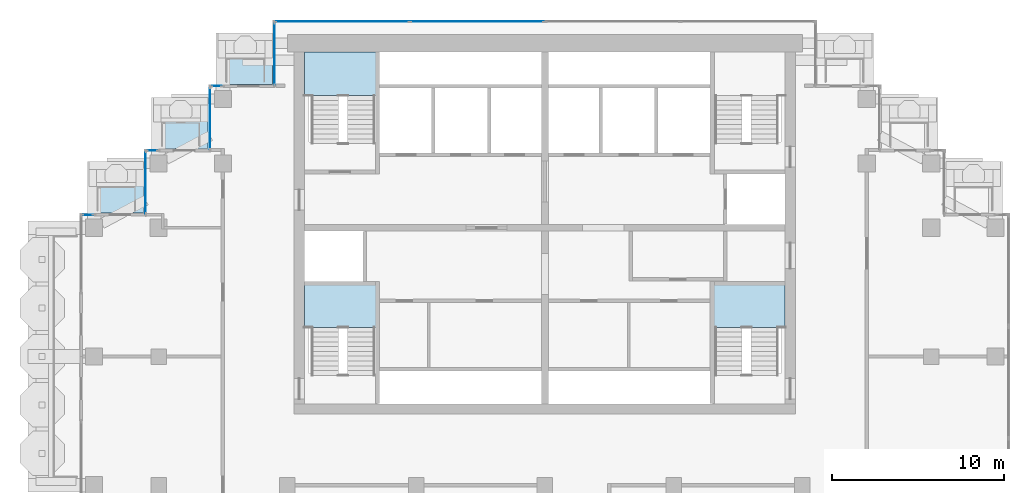
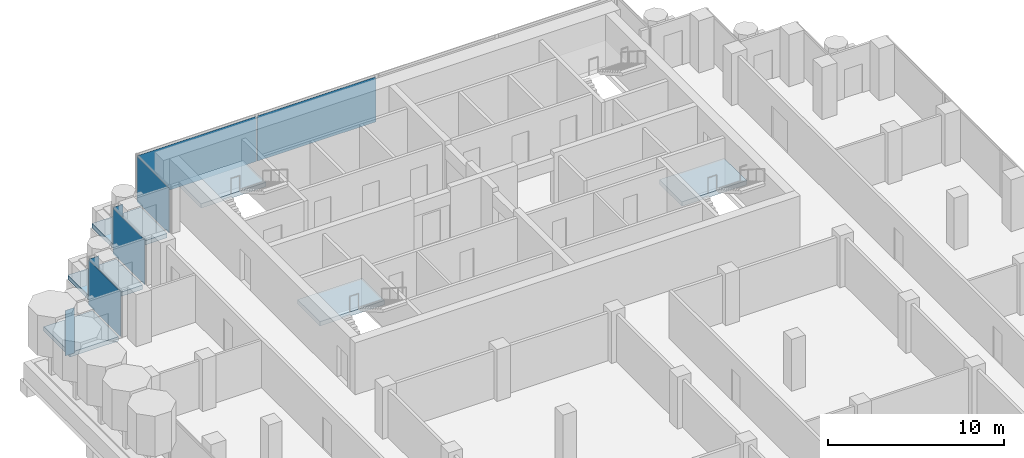
# One storey, part 9 of 17: 8 plates, 6 slabs, 10 elements without a shape of their own.
"""IFC4 building model written with IfcOpenShell, lengths in metres."""

from ifc_helpers import new_model, si_unit, direction, frame, origin, origin_2d, place, context, subcontext, project, spatial, polyline, rectangle, outline, extrude, material, layer, layer_set, type_object, element, aggregate, save


model = new_model("IFC4")

# Units and contexts
model_context = context("Model", 3, precision=1e-05, world=origin(), true_north=direction((0.0, 1.0)))
body_context = subcontext(model_context, "Body", "Model", "MODEL_VIEW")
ifc_project = project(units=[si_unit("LENGTHUNIT", "METRE"), si_unit("AREAUNIT", "SQUARE_METRE"), si_unit("VOLUMEUNIT", "CUBIC_METRE"), si_unit("PLANEANGLEUNIT", "RADIAN"), si_unit("MASSUNIT", "GRAM", prefix="KILO")], contexts=[model_context])

# Site, building, storey
site_placement = place(None, origin())
site = spatial("IfcSite", under=ifc_project, at=site_placement, CompositionType="ELEMENT")
building_placement = place(site_placement, origin())
building = spatial("IfcBuilding", under=site, at=building_placement, Name="Pilkhan Gate Tower", CompositionType="ELEMENT")
storey_placement = place(building_placement, frame((0.0, 0.0, 213.89990234375)))
storey = spatial("IfcBuildingStorey", under=building, at=storey_placement, Name="L55", CompositionType="ELEMENT", Elevation=213.89990234375)

# Slabs
ifc_material_1 = material(Name="Concrete C60/75", Category="concrete")
ifc_layer_1 = layer(ifc_material_1, 0.300048828125)
ifc_layer_set_1 = layer_set([ifc_layer_1], Name="Balcony tray slab TR300")
slab_type_1 = type_object("IfcSlabType", Name="Balcony tray slab TR300", PredefinedType="FLOOR", material=ifc_layer_set_1)
slab_1_placement = place(storey_placement, frame((0.0, 0.0, -0.2998046875)))
element("IfcSlab", 1, at=slab_1_placement, inside=storey, type_object=slab_type_1, Name="Balcony tray L55 N", PredefinedType="FLOOR", context=body_context, shape_type="SweptSolid", body=[
    extrude(outline(polyline([(59.14990234375, 90.85009765625), (59.14990234375, 93.85009765625), (55.949951171875, 93.85009765625), (55.949951171875, 90.85009765625), (59.14990234375, 90.85009765625)])), origin(), (0.0, 0.0, 1.0), 0.2998046875),
])
slab_2_placement = place(storey_placement, frame((0.0, 0.0, -0.2998046875)))
element("IfcSlab", 2, at=slab_2_placement, inside=storey, type_object=slab_type_1, Name="Balcony tray L55 N", PredefinedType="FLOOR", context=body_context, shape_type="SweptSolid", body=[
    extrude(outline(polyline([(55.3798828125, 87.1201171875), (55.3798828125, 90.10009765625), (52.199951171875, 90.10009765625), (52.199951171875, 87.1201171875), (55.3798828125, 87.1201171875)])), origin(), (0.0, 0.0, 1.0), 0.2998046875),
])
slab_3_placement = place(storey_placement, frame((0.0, 0.0, -0.2998046875)))
element("IfcSlab", 3, at=slab_3_placement, inside=storey, type_object=slab_type_1, Name="Balcony tray L55 N", PredefinedType="FLOOR", context=body_context, shape_type="SweptSolid", body=[
    extrude(outline(polyline([(51.6298828125, 83.3701171875), (51.6298828125, 86.35009765625), (48.449951171875, 86.35009765625), (48.449951171875, 83.3701171875), (51.6298828125, 83.3701171875)])), origin(), (0.0, 0.0, 1.0), 0.2998046875),
])

# Curtain wall, plates
ifc_material_2 = material(Name="Pale anodised aluminium, clear low-iron double glazing", Category="aluminium")
curtain_wall_type = type_object("IfcCurtainWallType", Name="Office unitised curtain wall CW-O2", PredefinedType="USERDEFINED", material=ifc_material_2)
curtain_wall_1_placement = place(storey_placement, origin())
curtain_wall_1 = element("IfcCurtainWall", 4, at=curtain_wall_1_placement, inside=storey, type_object=curtain_wall_type, Name="Office unitised curtain wall CW-O2 L55 N", ObjectType="UNITISED CURTAIN WALL", PredefinedType="USERDEFINED")
ifc_material_3 = material(Name="Clear low-iron double glazing", Category="glass")
ifc_layer_2 = layer(ifc_material_3, 0.031982421875)
ifc_layer_set_2 = layer_set([ifc_layer_2], Name="Glass panel CW-O2 32")
plate_type = type_object("IfcPlateType", Name="Glass panel CW-O2 32", PredefinedType="CURTAIN_PANEL", material=ifc_layer_set_2)
plate_1_placement = place(storey_placement, frame((63.203857421875, 94.5, 0.0), z_axis=(0.0, 0.0, 1.0), x_axis=(1.0, 0.0, 0.0)))
plate_1 = element("IfcPlate", 5, at=plate_1_placement, type_object=plate_type, Name="CW-O2 panel 1", PredefinedType="CURTAIN_PANEL", context=body_context, shape_type="SweptSolid", body=[
    extrude(rectangle(XDim=7.777587890625, YDim=0.031982421875, at=origin_2d()), origin(), (0.0, 0.0, 1.0), 3.135009765625),
])
plate_2_placement = place(storey_placement, frame((71.046142578125, 94.5, 0.0), z_axis=(0.0, 0.0, 1.0), x_axis=(1.0, 0.0, 0.0)))
plate_2 = element("IfcPlate", 6, at=plate_2_placement, type_object=plate_type, Name="CW-O2 panel 2", PredefinedType="CURTAIN_PANEL", context=body_context, shape_type="SweptSolid", body=[
    extrude(rectangle(XDim=7.777587890625, YDim=0.031982421875, at=origin_2d()), origin(), (0.0, 0.0, 1.0), 3.135009765625),
])
aggregate(curtain_wall_1, [plate_1, plate_2])

# Curtain wall, plate
curtain_wall_2_placement = place(storey_placement, origin())
curtain_wall_2 = element("IfcCurtainWall", 7, at=curtain_wall_2_placement, inside=storey, type_object=curtain_wall_type, Name="Office unitised curtain wall CW-O2 L55 W", ObjectType="UNITISED CURTAIN WALL", PredefinedType="USERDEFINED")
plate_3_placement = place(storey_placement, frame((59.25, 92.625, 0.0), z_axis=(0.0, 0.0, 1.0), x_axis=(0.0, 1.0, 0.0)))
plate_3 = element("IfcPlate", 8, at=plate_3_placement, type_object=plate_type, Name="CW-O2 panel 1", PredefinedType="CURTAIN_PANEL", context=body_context, shape_type="SweptSolid", body=[
    extrude(rectangle(XDim=3.6201171875, YDim=0.031982421875, at=origin_2d()), origin(), (0.0, 0.0, 1.0), 3.135009765625),
])
aggregate(curtain_wall_2, [plate_3])

curtain_wall_3_placement = place(storey_placement, origin())
curtain_wall_3 = element("IfcCurtainWall", 9, at=curtain_wall_3_placement, inside=storey, type_object=curtain_wall_type, Name="Office unitised curtain wall CW-O2 L55 N", ObjectType="UNITISED CURTAIN WALL", PredefinedType="USERDEFINED")
plate_4_placement = place(storey_placement, frame((55.875, 90.75, 0.0), z_axis=(0.0, 0.0, 1.0), x_axis=(1.0, 0.0, 0.0)))
plate_4 = element("IfcPlate", 10, at=plate_4_placement, type_object=plate_type, Name="CW-O2 panel 1", PredefinedType="CURTAIN_PANEL", context=body_context, shape_type="SweptSolid", body=[
    extrude(rectangle(XDim=0.6201171875, YDim=0.031982421875, at=origin_2d()), origin(), (0.0, 0.0, 1.0), 3.135009765625),
])
aggregate(curtain_wall_3, [plate_4])

curtain_wall_4_placement = place(storey_placement, origin())
curtain_wall_4 = element("IfcCurtainWall", 11, at=curtain_wall_4_placement, inside=storey, type_object=curtain_wall_type, Name="Office unitised curtain wall CW-O2 L55 W", ObjectType="UNITISED CURTAIN WALL", PredefinedType="USERDEFINED")
plate_5_placement = place(storey_placement, frame((55.5, 88.875, 0.0), z_axis=(0.0, 0.0, 1.0), x_axis=(0.0, 1.0, 0.0)))
plate_5 = element("IfcPlate", 12, at=plate_5_placement, type_object=plate_type, Name="CW-O2 panel 1", PredefinedType="CURTAIN_PANEL", context=body_context, shape_type="SweptSolid", body=[
    extrude(rectangle(XDim=3.6201171875, YDim=0.031982421875, at=origin_2d()), origin(), (0.0, 0.0, 1.0), 3.135009765625),
])
aggregate(curtain_wall_4, [plate_5])

curtain_wall_5_placement = place(storey_placement, origin())
curtain_wall_5 = element("IfcCurtainWall", 13, at=curtain_wall_5_placement, inside=storey, type_object=curtain_wall_type, Name="Office unitised curtain wall CW-O2 L55 N", ObjectType="UNITISED CURTAIN WALL", PredefinedType="USERDEFINED")
plate_6_placement = place(storey_placement, frame((52.125, 87.0, 0.0), z_axis=(0.0, 0.0, 1.0), x_axis=(1.0, 0.0, 0.0)))
plate_6 = element("IfcPlate", 14, at=plate_6_placement, type_object=plate_type, Name="CW-O2 panel 1", PredefinedType="CURTAIN_PANEL", context=body_context, shape_type="SweptSolid", body=[
    extrude(rectangle(XDim=0.6201171875, YDim=0.031982421875, at=origin_2d()), origin(), (0.0, 0.0, 1.0), 3.135009765625),
])
aggregate(curtain_wall_5, [plate_6])

curtain_wall_6_placement = place(storey_placement, origin())
curtain_wall_6 = element("IfcCurtainWall", 15, at=curtain_wall_6_placement, inside=storey, type_object=curtain_wall_type, Name="Office unitised curtain wall CW-O2 L55 W", ObjectType="UNITISED CURTAIN WALL", PredefinedType="USERDEFINED")
plate_7_placement = place(storey_placement, frame((51.75, 85.125, 0.0), z_axis=(0.0, 0.0, 1.0), x_axis=(0.0, 1.0, 0.0)))
plate_7 = element("IfcPlate", 16, at=plate_7_placement, type_object=plate_type, Name="CW-O2 panel 1", PredefinedType="CURTAIN_PANEL", context=body_context, shape_type="SweptSolid", body=[
    extrude(rectangle(XDim=3.6201171875, YDim=0.031982421875, at=origin_2d()), origin(), (0.0, 0.0, 1.0), 3.135009765625),
])
aggregate(curtain_wall_6, [plate_7])

curtain_wall_7_placement = place(storey_placement, origin())
curtain_wall_7 = element("IfcCurtainWall", 17, at=curtain_wall_7_placement, inside=storey, type_object=curtain_wall_type, Name="Office unitised curtain wall CW-O2 L55 N", ObjectType="UNITISED CURTAIN WALL", PredefinedType="USERDEFINED")
plate_8_placement = place(storey_placement, frame((48.375, 83.25, 0.0), z_axis=(0.0, 0.0, 1.0), x_axis=(1.0, 0.0, 0.0)))
plate_8 = element("IfcPlate", 18, at=plate_8_placement, type_object=plate_type, Name="CW-O2 panel 1", PredefinedType="CURTAIN_PANEL", context=body_context, shape_type="SweptSolid", body=[
    extrude(rectangle(XDim=0.6201171875, YDim=0.031982421875, at=origin_2d()), origin(), (0.0, 0.0, 1.0), 3.135009765625),
])
aggregate(curtain_wall_7, [plate_8])

# Stair, slab
ifc_material_4 = material(Name="Concrete C40/50 precast", Category="concrete")
stair_type_1 = type_object("IfcStairType", Name="Stair ST1 164x280", PredefinedType="HALF_TURN_STAIR", material=ifc_material_4)
stair_1_placement = place(storey_placement, origin())
stair_1 = element("IfcStair", 19, at=stair_1_placement, inside=storey, type_object=stair_type_1, Name="Stair ST1 L55", PredefinedType="HALF_TURN_STAIR")
ifc_material_5 = material(Name="Concrete C40/50", Category="concrete")
ifc_layer_3 = layer(ifc_material_5, 0.199951171875)
ifc_layer_set_3 = layer_set([ifc_layer_3], Name="Stair landing SL200")
slab_type_2 = type_object("IfcSlabType", Name="Stair landing SL200", PredefinedType="LANDING", material=ifc_layer_set_3)
slab_4_placement = place(storey_placement, frame((0.0, 0.0, 1.5)))
slab_4 = element("IfcSlab", 20, at=slab_4_placement, type_object=slab_type_2, Name="ST1 landing 1", PredefinedType="LANDING", context=body_context, shape_type="SweptSolid", body=[
    extrude(outline(polyline([(89.0, 76.699951171875), (89.0, 79.25), (84.75, 79.25), (84.75, 76.699951171875), (89.0, 76.699951171875)])), origin(), (0.0, 0.0, 1.0), 0.300048828125),
])
aggregate(stair_1, [slab_4])

stair_type_2 = type_object("IfcStairType", Name="Stair ST2 164x280", PredefinedType="HALF_TURN_STAIR", material=ifc_material_4)
stair_2_placement = place(storey_placement, origin())
stair_2 = element("IfcStair", 21, at=stair_2_placement, inside=storey, type_object=stair_type_2, Name="Stair ST2 L55", PredefinedType="HALF_TURN_STAIR")
slab_5_placement = place(storey_placement, frame((0.0, 0.0, 1.5)))
slab_5 = element("IfcSlab", 22, at=slab_5_placement, type_object=slab_type_2, Name="ST2 landing 1", PredefinedType="LANDING", context=body_context, shape_type="SweptSolid", body=[
    extrude(outline(polyline([(65.25, 76.699951171875), (65.25, 79.25), (61.0, 79.25), (61.0, 76.699951171875), (65.25, 76.699951171875)])), origin(), (0.0, 0.0, 1.0), 0.300048828125),
])
aggregate(stair_2, [slab_5])

stair_type_3 = type_object("IfcStairType", Name="Stair ST3 164x280", PredefinedType="HALF_TURN_STAIR", material=ifc_material_4)
stair_3_placement = place(storey_placement, origin())
stair_3 = element("IfcStair", 23, at=stair_3_placement, inside=storey, type_object=stair_type_3, Name="Stair ST3 L55", PredefinedType="HALF_TURN_STAIR")
slab_6_placement = place(storey_placement, frame((0.0, 0.0, 1.5)))
slab_6 = element("IfcSlab", 24, at=slab_6_placement, type_object=slab_type_2, Name="ST3 landing 1", PredefinedType="LANDING", context=body_context, shape_type="SweptSolid", body=[
    extrude(outline(polyline([(65.25, 90.199951171875), (65.25, 92.75), (61.0, 92.75), (61.0, 90.199951171875), (65.25, 90.199951171875)])), origin(), (0.0, 0.0, 1.0), 0.300048828125),
])
aggregate(stair_3, [slab_6])

save(model, "model.ifc")
